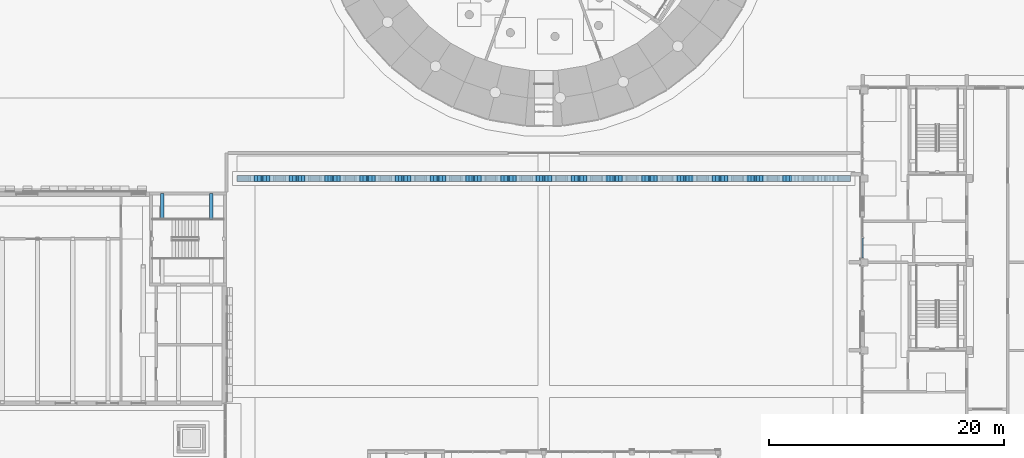
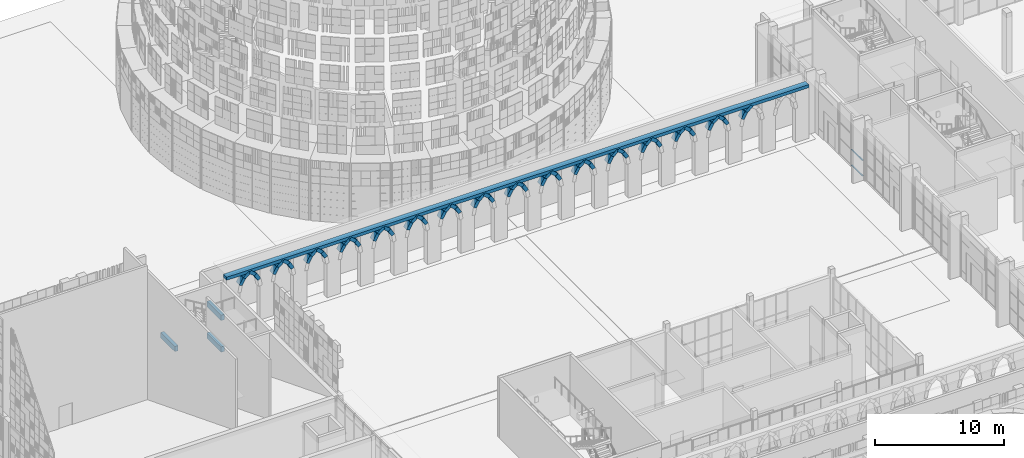
# One storey, part 34 of 125: 64 members, 4 beams, 1 element without a shape of its own.
"""IFC4 building model written with IfcOpenShell, lengths in metres."""

import ifcopenshell
import ifcopenshell.guid

model = None  # the IFC model being written
_history = None  # IfcOwnerHistory: only IFC2X3 demands one
_inside = {}  # id of a spatial element -> (the spatial element, [elements in it])
_under = {}  # id of a project, library or spatial element -> (it, [spatial elements below it])
_declared = {}  # id of a project -> (the project, [libraries it declares])
_typed = {}  # id of a type object -> (the type object, [elements of that type])
_made_of = {}  # id of a material, layer set ... -> (it, [elements and type objects made of it])


def new_model(schema):
    """Start an empty IFC model of exactly this schema.

    Asked for "IFC4X3", IfcOpenShell would pick the latest addendum, in which some entities
    have other attributes; the version numbers below select the first issue.
    IFC2X3 requires an IfcOwnerHistory on every rooted entity: one is made here for all.
    """
    global model, _history
    if schema == "IFC4X3":
        model = ifcopenshell.file(schema_version=(4, 3, 0, 0))
    else:
        model = ifcopenshell.file(schema=schema)
    _inside.clear()
    _under.clear()
    _declared.clear()
    _typed.clear()
    _made_of.clear()
    _history = None
    if model.schema == "IFC2X3":
        org = make("IfcOrganization", Name="unknown")
        user = make(
            "IfcPersonAndOrganization",
            ThePerson=make("IfcPerson", FamilyName="unknown"),
            TheOrganization=org,
        )
        app = make(
            "IfcApplication",
            ApplicationDeveloper=org,
            Version="unknown",
            ApplicationFullName="unknown",
            ApplicationIdentifier="unknown",
        )
        _history = make(
            "IfcOwnerHistory",
            OwningUser=user,
            OwningApplication=app,
            ChangeAction="ADDED",
            CreationDate=0,
        )
    return model


def make(cls, **values):
    """One entity of the class cls with the attributes given. An attribute that is None is left unset."""
    return model.create_entity(
        cls, **{name: value for name, value in values.items() if value is not None}
    )


def rooted(cls, **values):
    """An entity with a GlobalId (a new one), such as an element, a storey or a relation."""
    return make(cls, GlobalId=ifcopenshell.guid.new(), OwnerHistory=_history, **values)


def si_unit(unit_type, name, prefix=None):
    """IfcSIUnit, for example si_unit("LENGTHUNIT", "METRE", prefix="MILLI")."""
    return make("IfcSIUnit", UnitType=unit_type, Prefix=prefix, Name=name)


def assignment(units):
    """IfcUnitAssignment: the units of a project."""
    return None if units is None else make("IfcUnitAssignment", Units=units)


def point(xyz):
    """IfcCartesianPoint."""
    return None if xyz is None else make("IfcCartesianPoint", Coordinates=xyz)


def direction(xyz):
    """IfcDirection."""
    return None if xyz is None else make("IfcDirection", DirectionRatios=xyz)


def frame(location, z_axis=None, x_axis=None):
    """IfcAxis2Placement3D, a coordinate frame: its origin and axes. An axis left out is left unset."""
    return make(
        "IfcAxis2Placement3D",
        Location=point(location),
        Axis=direction(z_axis),
        RefDirection=direction(x_axis),
    )


def frame_2d(location, x_axis=None):
    """IfcAxis2Placement2D, a coordinate frame in the plane: its origin and x axis."""
    return make(
        "IfcAxis2Placement2D", Location=point(location), RefDirection=direction(x_axis)
    )


def origin():
    """The frame at (0, 0, 0) with its axes left unset."""
    return frame((0.0, 0.0, 0.0))


def origin_2d():
    """The frame at (0, 0) in the plane with its x axis left unset."""
    return frame_2d((0.0, 0.0))


def place(relative_to, where):
    """IfcLocalPlacement: puts the frame where relative to a parent placement (None: the world)."""
    return make(
        "IfcLocalPlacement", PlacementRelTo=relative_to, RelativePlacement=where
    )


def context(
    kind, dimensions, precision=None, world=None, true_north=None, identifier=None
):
    """IfcGeometricRepresentationContext, for example the 3D "Model" context."""
    return make(
        "IfcGeometricRepresentationContext",
        ContextIdentifier=identifier,
        ContextType=kind,
        CoordinateSpaceDimension=dimensions,
        Precision=precision,
        WorldCoordinateSystem=world,
        TrueNorth=true_north,
    )


def subcontext(parent, identifier, kind, view, scale=None):
    """IfcGeometricRepresentationSubContext, for example "Body" below "Model"."""
    return make(
        "IfcGeometricRepresentationSubContext",
        ContextIdentifier=identifier,
        ContextType=kind,
        ParentContext=parent,
        TargetScale=scale,
        TargetView=view,
    )


def project(units=None, contexts=None):
    """IfcProject with its units and contexts."""
    return rooted(
        "IfcProject",
        Name="project",
        RepresentationContexts=contexts,
        UnitsInContext=assignment(units),
    )


def spatial(cls, under=None, at=None, **own):
    """A site, building, storey or space (cls), placed at a placement, below another one or the project."""
    s = rooted(cls, ObjectPlacement=at, **own)
    if under is not None:
        _under.setdefault(under.id(), (under, []))[1].append(s)
    return s


def profile(cls, at=None, kind="AREA", **sizes):
    """A parametric profile (cls). Its sizes go by their IFC names, for example OverallWidth=200.0."""
    return make(cls, ProfileType=kind, Position=at, **sizes)


def rectangle(**sizes):
    """IfcRectangleProfileDef."""
    return profile("IfcRectangleProfileDef", **sizes)


def hollow_rectangle(**sizes):
    """IfcRectangleHollowProfileDef."""
    return profile("IfcRectangleHollowProfileDef", **sizes)


def extrude(swept, where, along, depth):
    """IfcExtrudedAreaSolid: the profile swept, set in the frame where, extruded along a direction by depth."""
    return make(
        "IfcExtrudedAreaSolid",
        SweptArea=swept,
        Position=where,
        ExtrudedDirection=direction(along),
        Depth=depth,
    )


def shape(context_of_items, identifier, shape_type, items):
    """IfcShapeRepresentation: the items that make up one representation, for example the "Body"."""
    return make(
        "IfcShapeRepresentation",
        ContextOfItems=context_of_items,
        RepresentationIdentifier=identifier,
        RepresentationType=shape_type,
        Items=items,
    )


def material(Name=None, Category=None):
    """IfcMaterial."""
    return make("IfcMaterial", Name=Name, Category=Category)


def material_profile(
    of_material, cross_section, Name=None, Category=None, Priority=None
):
    """IfcMaterialProfile: a cross section and its material."""
    return make(
        "IfcMaterialProfile",
        Name=Name,
        Material=of_material,
        Profile=cross_section,
        Priority=Priority,
        Category=Category,
    )


def profile_set(profiles, Name=None, composite=None):
    """IfcMaterialProfileSet."""
    return make(
        "IfcMaterialProfileSet",
        Name=Name,
        MaterialProfiles=profiles,
        CompositeProfile=composite,
    )


def made_of(thing, what):
    """Note that an element or type object is made of a material, layer set ...; save() writes the relation."""
    if what is not None:
        _made_of.setdefault(what.id(), (what, []))[1].append(thing)
    return thing


def type_object(cls, material=None, **own):
    """A type object (cls), such as IfcWallType, which elements share."""
    return made_of(rooted(cls, **own), material)


def element(
    cls,
    number,
    at=None,
    inside=None,
    cuts=None,
    type_object=None,
    material=None,
    context=None,
    identifier="Body",
    shape_type=None,
    held_by="IfcProductDefinitionShape",
    body=None,
    shapes=None,
    **own,
):
    """One element of the class cls, such as IfcWall. Its Tag is "e" and its number.

    at: its placement. inside: the storey or other place that contains it. cuts: it is an
    opening in that element (IfcRelVoidsElement). A single representation is given by context,
    identifier, shape_type and body (its items); several are given by shapes. held_by: the class
    of the entity that holds the representations. save() writes the other relations.
    """
    e = rooted(cls, Tag="e%d" % number, ObjectPlacement=at, **own)
    if body is not None:
        shapes = [shape(context, identifier, shape_type, body)]
    if shapes is not None:
        e.Representation = make(held_by, Representations=shapes)
    if inside is not None:
        _inside.setdefault(inside.id(), (inside, []))[1].append(e)
    if cuts is not None:
        rooted(
            "IfcRelVoidsElement", RelatingBuildingElement=cuts, RelatedOpeningElement=e
        )
    if type_object is not None:
        _typed.setdefault(type_object.id(), (type_object, []))[1].append(e)
    return made_of(e, material)


def aggregate(whole, parts):
    """IfcRelAggregates: a whole, such as a stair, and the parts it consists of."""
    return rooted("IfcRelAggregates", RelatingObject=whole, RelatedObjects=parts)


def save(model, path):
    """Write the relations noted so far, then the file.

    IfcRelAggregates (storeys below a building ...), IfcRelContainedInSpatialStructure (elements
    in a storey), IfcRelDefinesByType, IfcRelAssociatesMaterial and IfcRelDeclares: one each for
    every whole, place, type object, material and project.
    """
    for whole, parts in _under.values():
        aggregate(whole, parts)
    for where, things in _inside.values():
        rooted(
            "IfcRelContainedInSpatialStructure",
            RelatedElements=things,
            RelatingStructure=where,
        )
    for kind, things in _typed.values():
        rooted("IfcRelDefinesByType", RelatedObjects=things, RelatingType=kind)
    for what, things in _made_of.values():
        rooted("IfcRelAssociatesMaterial", RelatedObjects=things, RelatingMaterial=what)
    for by, libraries in _declared.values():
        rooted("IfcRelDeclares", RelatingContext=by, RelatedDefinitions=libraries)
    model.write(path)


model = new_model("IFC4")

# Units and contexts
model_context = context("Model", 3, precision=1e-05, world=origin(), true_north=direction((0.0, 1.0)))
body_context = subcontext(model_context, "Body", "Model", "MODEL_VIEW")
ifc_project = project(units=[si_unit("LENGTHUNIT", "METRE"), si_unit("AREAUNIT", "SQUARE_METRE"), si_unit("VOLUMEUNIT", "CUBIC_METRE"), si_unit("PLANEANGLEUNIT", "RADIAN"), si_unit("MASSUNIT", "GRAM", prefix="KILO")], contexts=[model_context])

# Site, building, storey
site_placement = place(None, origin())
site = spatial("IfcSite", under=ifc_project, at=site_placement, CompositionType="ELEMENT")
building_placement = place(site_placement, origin())
building = spatial("IfcBuilding", under=site, at=building_placement, Name="Sun Court Science Centre", CompositionType="ELEMENT")
storey_placement = place(building_placement, origin())
storey = spatial("IfcBuildingStorey", under=building, at=storey_placement, Name="L00", CompositionType="ELEMENT", Elevation=0.0)

# Members
ifc_material_1 = material(Name="Concrete C30/37", Category="concrete")
ifc_material_profile_1 = material_profile(ifc_material_1, rectangle(XDim=0.5, YDim=0.300048828125, at=origin_2d()), Name="RC 500x300")
ifc_profile_set_1 = profile_set([ifc_material_profile_1], Name="Concrete C30/37")
member_type_1 = type_object("IfcMemberType", Name="Arcade arch rib RC 500x300", PredefinedType="MEMBER", material=ifc_profile_set_1)
member_1_placement = place(storey_placement, frame((26.16455078125, 73.14990234375, 3.8798828125), z_axis=(0.500117354631, 0.0, 0.865957638454), x_axis=(0.0, 1.0, 0.0)))
element("IfcMember", 1, at=member_1_placement, inside=storey, type_object=member_type_1, Name="Arcade arch rib AR2 bay 01", PredefinedType="MEMBER", context=body_context, shape_type="SweptSolid", body=[
    extrude(rectangle(XDim=0.5, YDim=0.300048828125, at=origin_2d()), origin(), (0.0, 0.0, 1.0), 0.659912109375),
])
member_2_placement = place(storey_placement, frame((26.49462890625, 73.14990234375, 4.451416015625), z_axis=(0.76603282395, 0.0, 0.642801456619), x_axis=(0.0, 1.0, 0.0)))
element("IfcMember", 2, at=member_2_placement, inside=storey, type_object=member_type_1, Name="Arcade arch rib AR2 bay 01", PredefinedType="MEMBER", context=body_context, shape_type="SweptSolid", body=[
    extrude(rectangle(XDim=0.5, YDim=0.300048828125, at=origin_2d()), origin(), (0.0, 0.0, 1.0), 0.65966796875),
])
member_3_placement = place(storey_placement, frame((27.83544921875, 73.14990234375, 3.8798828125), z_axis=(-0.500117354631, 0.0, 0.865957638454), x_axis=(0.0, -1.0, 0.0)))
element("IfcMember", 3, at=member_3_placement, inside=storey, type_object=member_type_1, Name="Arcade arch rib AR2 bay 01", PredefinedType="MEMBER", context=body_context, shape_type="SweptSolid", body=[
    extrude(rectangle(XDim=0.5, YDim=0.300048828125, at=origin_2d()), origin(), (0.0, 0.0, 1.0), 0.659912109375),
])
member_4_placement = place(storey_placement, frame((27.50537109375, 73.14990234375, 4.451416015625), z_axis=(-0.76603282395, 0.0, 0.642801456619), x_axis=(0.0, -1.0, 0.0)))
element("IfcMember", 4, at=member_4_placement, inside=storey, type_object=member_type_1, Name="Arcade arch rib AR2 bay 01", PredefinedType="MEMBER", context=body_context, shape_type="SweptSolid", body=[
    extrude(rectangle(XDim=0.5, YDim=0.300048828125, at=origin_2d()), origin(), (0.0, 0.0, 1.0), 0.65966796875),
])
member_5_placement = place(storey_placement, frame((29.16455078125, 73.14990234375, 3.8798828125), z_axis=(0.500117354631, 0.0, 0.865957638454), x_axis=(0.0, 1.0, 0.0)))
element("IfcMember", 5, at=member_5_placement, inside=storey, type_object=member_type_1, Name="Arcade arch rib AR2 bay 02", PredefinedType="MEMBER", context=body_context, shape_type="SweptSolid", body=[
    extrude(rectangle(XDim=0.5, YDim=0.300048828125, at=origin_2d()), origin(), (0.0, 0.0, 1.0), 0.659912109375),
])
member_6_placement = place(storey_placement, frame((29.49462890625, 73.14990234375, 4.451416015625), z_axis=(0.76603282395, 0.0, 0.642801456619), x_axis=(0.0, 1.0, 0.0)))
element("IfcMember", 6, at=member_6_placement, inside=storey, type_object=member_type_1, Name="Arcade arch rib AR2 bay 02", PredefinedType="MEMBER", context=body_context, shape_type="SweptSolid", body=[
    extrude(rectangle(XDim=0.5, YDim=0.300048828125, at=origin_2d()), origin(), (0.0, 0.0, 1.0), 0.65966796875),
])
member_7_placement = place(storey_placement, frame((30.83544921875, 73.14990234375, 3.8798828125), z_axis=(-0.500117354631, 0.0, 0.865957638454), x_axis=(0.0, -1.0, 0.0)))
element("IfcMember", 7, at=member_7_placement, inside=storey, type_object=member_type_1, Name="Arcade arch rib AR2 bay 02", PredefinedType="MEMBER", context=body_context, shape_type="SweptSolid", body=[
    extrude(rectangle(XDim=0.5, YDim=0.300048828125, at=origin_2d()), origin(), (0.0, 0.0, 1.0), 0.659912109375),
])
member_8_placement = place(storey_placement, frame((30.50537109375, 73.14990234375, 4.451416015625), z_axis=(-0.76603282395, 0.0, 0.642801456619), x_axis=(0.0, -1.0, 0.0)))
element("IfcMember", 8, at=member_8_placement, inside=storey, type_object=member_type_1, Name="Arcade arch rib AR2 bay 02", PredefinedType="MEMBER", context=body_context, shape_type="SweptSolid", body=[
    extrude(rectangle(XDim=0.5, YDim=0.300048828125, at=origin_2d()), origin(), (0.0, 0.0, 1.0), 0.65966796875),
])
member_9_placement = place(storey_placement, frame((32.16455078125, 73.14990234375, 3.8798828125), z_axis=(0.500117354631, 0.0, 0.865957638454), x_axis=(0.0, 1.0, 0.0)))
element("IfcMember", 9, at=member_9_placement, inside=storey, type_object=member_type_1, Name="Arcade arch rib AR2 bay 03", PredefinedType="MEMBER", context=body_context, shape_type="SweptSolid", body=[
    extrude(rectangle(XDim=0.5, YDim=0.300048828125, at=origin_2d()), origin(), (0.0, 0.0, 1.0), 0.659912109375),
])
member_10_placement = place(storey_placement, frame((32.49462890625, 73.14990234375, 4.451416015625), z_axis=(0.76603282395, 0.0, 0.642801456619), x_axis=(0.0, 1.0, 0.0)))
element("IfcMember", 10, at=member_10_placement, inside=storey, type_object=member_type_1, Name="Arcade arch rib AR2 bay 03", PredefinedType="MEMBER", context=body_context, shape_type="SweptSolid", body=[
    extrude(rectangle(XDim=0.5, YDim=0.300048828125, at=origin_2d()), origin(), (0.0, 0.0, 1.0), 0.65966796875),
])
member_11_placement = place(storey_placement, frame((33.83544921875, 73.14990234375, 3.8798828125), z_axis=(-0.500117354631, 0.0, 0.865957638454), x_axis=(0.0, -1.0, 0.0)))
element("IfcMember", 11, at=member_11_placement, inside=storey, type_object=member_type_1, Name="Arcade arch rib AR2 bay 03", PredefinedType="MEMBER", context=body_context, shape_type="SweptSolid", body=[
    extrude(rectangle(XDim=0.5, YDim=0.300048828125, at=origin_2d()), origin(), (0.0, 0.0, 1.0), 0.659912109375),
])
member_12_placement = place(storey_placement, frame((33.50537109375, 73.14990234375, 4.451416015625), z_axis=(-0.76603282395, 0.0, 0.642801456619), x_axis=(0.0, -1.0, 0.0)))
element("IfcMember", 12, at=member_12_placement, inside=storey, type_object=member_type_1, Name="Arcade arch rib AR2 bay 03", PredefinedType="MEMBER", context=body_context, shape_type="SweptSolid", body=[
    extrude(rectangle(XDim=0.5, YDim=0.300048828125, at=origin_2d()), origin(), (0.0, 0.0, 1.0), 0.65966796875),
])
member_13_placement = place(storey_placement, frame((35.16455078125, 73.14990234375, 3.8798828125), z_axis=(0.500117354631, 0.0, 0.865957638454), x_axis=(0.0, 1.0, 0.0)))
element("IfcMember", 13, at=member_13_placement, inside=storey, type_object=member_type_1, Name="Arcade arch rib AR2 bay 04", PredefinedType="MEMBER", context=body_context, shape_type="SweptSolid", body=[
    extrude(rectangle(XDim=0.5, YDim=0.300048828125, at=origin_2d()), origin(), (0.0, 0.0, 1.0), 0.659912109375),
])
member_14_placement = place(storey_placement, frame((35.49462890625, 73.14990234375, 4.451416015625), z_axis=(0.76603282395, 0.0, 0.642801456619), x_axis=(0.0, 1.0, 0.0)))
element("IfcMember", 14, at=member_14_placement, inside=storey, type_object=member_type_1, Name="Arcade arch rib AR2 bay 04", PredefinedType="MEMBER", context=body_context, shape_type="SweptSolid", body=[
    extrude(rectangle(XDim=0.5, YDim=0.300048828125, at=origin_2d()), origin(), (0.0, 0.0, 1.0), 0.65966796875),
])
member_15_placement = place(storey_placement, frame((36.83544921875, 73.14990234375, 3.8798828125), z_axis=(-0.500117354631, 0.0, 0.865957638454), x_axis=(0.0, -1.0, 0.0)))
element("IfcMember", 15, at=member_15_placement, inside=storey, type_object=member_type_1, Name="Arcade arch rib AR2 bay 04", PredefinedType="MEMBER", context=body_context, shape_type="SweptSolid", body=[
    extrude(rectangle(XDim=0.5, YDim=0.300048828125, at=origin_2d()), origin(), (0.0, 0.0, 1.0), 0.659912109375),
])
member_16_placement = place(storey_placement, frame((36.50537109375, 73.14990234375, 4.451416015625), z_axis=(-0.76603282395, 0.0, 0.642801456619), x_axis=(0.0, -1.0, 0.0)))
element("IfcMember", 16, at=member_16_placement, inside=storey, type_object=member_type_1, Name="Arcade arch rib AR2 bay 04", PredefinedType="MEMBER", context=body_context, shape_type="SweptSolid", body=[
    extrude(rectangle(XDim=0.5, YDim=0.300048828125, at=origin_2d()), origin(), (0.0, 0.0, 1.0), 0.65966796875),
])
member_17_placement = place(storey_placement, frame((38.16455078125, 73.14990234375, 3.8798828125), z_axis=(0.500117354631, 0.0, 0.865957638454), x_axis=(0.0, 1.0, 0.0)))
element("IfcMember", 17, at=member_17_placement, inside=storey, type_object=member_type_1, Name="Arcade arch rib AR2 bay 05", PredefinedType="MEMBER", context=body_context, shape_type="SweptSolid", body=[
    extrude(rectangle(XDim=0.5, YDim=0.300048828125, at=origin_2d()), origin(), (0.0, 0.0, 1.0), 0.659912109375),
])
member_18_placement = place(storey_placement, frame((38.49462890625, 73.14990234375, 4.451416015625), z_axis=(0.76603282395, 0.0, 0.642801456619), x_axis=(0.0, 1.0, 0.0)))
element("IfcMember", 18, at=member_18_placement, inside=storey, type_object=member_type_1, Name="Arcade arch rib AR2 bay 05", PredefinedType="MEMBER", context=body_context, shape_type="SweptSolid", body=[
    extrude(rectangle(XDim=0.5, YDim=0.300048828125, at=origin_2d()), origin(), (0.0, 0.0, 1.0), 0.65966796875),
])
member_19_placement = place(storey_placement, frame((39.83544921875, 73.14990234375, 3.8798828125), z_axis=(-0.500117354631, 0.0, 0.865957638454), x_axis=(0.0, -1.0, 0.0)))
element("IfcMember", 19, at=member_19_placement, inside=storey, type_object=member_type_1, Name="Arcade arch rib AR2 bay 05", PredefinedType="MEMBER", context=body_context, shape_type="SweptSolid", body=[
    extrude(rectangle(XDim=0.5, YDim=0.300048828125, at=origin_2d()), origin(), (0.0, 0.0, 1.0), 0.659912109375),
])
member_20_placement = place(storey_placement, frame((39.50537109375, 73.14990234375, 4.451416015625), z_axis=(-0.76603282395, 0.0, 0.642801456619), x_axis=(0.0, -1.0, 0.0)))
element("IfcMember", 20, at=member_20_placement, inside=storey, type_object=member_type_1, Name="Arcade arch rib AR2 bay 05", PredefinedType="MEMBER", context=body_context, shape_type="SweptSolid", body=[
    extrude(rectangle(XDim=0.5, YDim=0.300048828125, at=origin_2d()), origin(), (0.0, 0.0, 1.0), 0.65966796875),
])
member_21_placement = place(storey_placement, frame((41.16455078125, 73.14990234375, 3.8798828125), z_axis=(0.500117354631, 0.0, 0.865957638454), x_axis=(0.0, 1.0, 0.0)))
element("IfcMember", 21, at=member_21_placement, inside=storey, type_object=member_type_1, Name="Arcade arch rib AR2 bay 06", PredefinedType="MEMBER", context=body_context, shape_type="SweptSolid", body=[
    extrude(rectangle(XDim=0.5, YDim=0.300048828125, at=origin_2d()), origin(), (0.0, 0.0, 1.0), 0.659912109375),
])
member_22_placement = place(storey_placement, frame((41.49462890625, 73.14990234375, 4.451416015625), z_axis=(0.76603282395, 0.0, 0.642801456619), x_axis=(0.0, 1.0, 0.0)))
element("IfcMember", 22, at=member_22_placement, inside=storey, type_object=member_type_1, Name="Arcade arch rib AR2 bay 06", PredefinedType="MEMBER", context=body_context, shape_type="SweptSolid", body=[
    extrude(rectangle(XDim=0.5, YDim=0.300048828125, at=origin_2d()), origin(), (0.0, 0.0, 1.0), 0.65966796875),
])
member_23_placement = place(storey_placement, frame((42.83544921875, 73.14990234375, 3.8798828125), z_axis=(-0.500117354631, 0.0, 0.865957638454), x_axis=(0.0, -1.0, 0.0)))
element("IfcMember", 23, at=member_23_placement, inside=storey, type_object=member_type_1, Name="Arcade arch rib AR2 bay 06", PredefinedType="MEMBER", context=body_context, shape_type="SweptSolid", body=[
    extrude(rectangle(XDim=0.5, YDim=0.300048828125, at=origin_2d()), origin(), (0.0, 0.0, 1.0), 0.659912109375),
])
member_24_placement = place(storey_placement, frame((42.50537109375, 73.14990234375, 4.451416015625), z_axis=(-0.76603282395, 0.0, 0.642801456619), x_axis=(0.0, -1.0, 0.0)))
element("IfcMember", 24, at=member_24_placement, inside=storey, type_object=member_type_1, Name="Arcade arch rib AR2 bay 06", PredefinedType="MEMBER", context=body_context, shape_type="SweptSolid", body=[
    extrude(rectangle(XDim=0.5, YDim=0.300048828125, at=origin_2d()), origin(), (0.0, 0.0, 1.0), 0.65966796875),
])
member_25_placement = place(storey_placement, frame((44.16455078125, 73.14990234375, 3.8798828125), z_axis=(0.500117354631, 0.0, 0.865957638454), x_axis=(0.0, 1.0, 0.0)))
element("IfcMember", 25, at=member_25_placement, inside=storey, type_object=member_type_1, Name="Arcade arch rib AR2 bay 07", PredefinedType="MEMBER", context=body_context, shape_type="SweptSolid", body=[
    extrude(rectangle(XDim=0.5, YDim=0.300048828125, at=origin_2d()), origin(), (0.0, 0.0, 1.0), 0.659912109375),
])
member_26_placement = place(storey_placement, frame((44.49462890625, 73.14990234375, 4.451416015625), z_axis=(0.76603282395, 0.0, 0.642801456619), x_axis=(0.0, 1.0, 0.0)))
element("IfcMember", 26, at=member_26_placement, inside=storey, type_object=member_type_1, Name="Arcade arch rib AR2 bay 07", PredefinedType="MEMBER", context=body_context, shape_type="SweptSolid", body=[
    extrude(rectangle(XDim=0.5, YDim=0.300048828125, at=origin_2d()), origin(), (0.0, 0.0, 1.0), 0.65966796875),
])
member_27_placement = place(storey_placement, frame((45.83544921875, 73.14990234375, 3.8798828125), z_axis=(-0.500117354631, 0.0, 0.865957638454), x_axis=(0.0, -1.0, 0.0)))
element("IfcMember", 27, at=member_27_placement, inside=storey, type_object=member_type_1, Name="Arcade arch rib AR2 bay 07", PredefinedType="MEMBER", context=body_context, shape_type="SweptSolid", body=[
    extrude(rectangle(XDim=0.5, YDim=0.300048828125, at=origin_2d()), origin(), (0.0, 0.0, 1.0), 0.659912109375),
])
member_28_placement = place(storey_placement, frame((45.50537109375, 73.14990234375, 4.451416015625), z_axis=(-0.76603282395, 0.0, 0.642801456619), x_axis=(0.0, -1.0, 0.0)))
element("IfcMember", 28, at=member_28_placement, inside=storey, type_object=member_type_1, Name="Arcade arch rib AR2 bay 07", PredefinedType="MEMBER", context=body_context, shape_type="SweptSolid", body=[
    extrude(rectangle(XDim=0.5, YDim=0.300048828125, at=origin_2d()), origin(), (0.0, 0.0, 1.0), 0.65966796875),
])
member_29_placement = place(storey_placement, frame((47.16455078125, 73.14990234375, 3.8798828125), z_axis=(0.500117354631, 0.0, 0.865957638454), x_axis=(0.0, 1.0, 0.0)))
element("IfcMember", 29, at=member_29_placement, inside=storey, type_object=member_type_1, Name="Arcade arch rib AR2 bay 08", PredefinedType="MEMBER", context=body_context, shape_type="SweptSolid", body=[
    extrude(rectangle(XDim=0.5, YDim=0.300048828125, at=origin_2d()), origin(), (0.0, 0.0, 1.0), 0.659912109375),
])
member_30_placement = place(storey_placement, frame((47.49462890625, 73.14990234375, 4.451416015625), z_axis=(0.76603282395, 0.0, 0.642801456619), x_axis=(0.0, 1.0, 0.0)))
element("IfcMember", 30, at=member_30_placement, inside=storey, type_object=member_type_1, Name="Arcade arch rib AR2 bay 08", PredefinedType="MEMBER", context=body_context, shape_type="SweptSolid", body=[
    extrude(rectangle(XDim=0.5, YDim=0.300048828125, at=origin_2d()), origin(), (0.0, 0.0, 1.0), 0.65966796875),
])
member_31_placement = place(storey_placement, frame((48.83544921875, 73.14990234375, 3.8798828125), z_axis=(-0.500117354631, 0.0, 0.865957638454), x_axis=(0.0, -1.0, 0.0)))
element("IfcMember", 31, at=member_31_placement, inside=storey, type_object=member_type_1, Name="Arcade arch rib AR2 bay 08", PredefinedType="MEMBER", context=body_context, shape_type="SweptSolid", body=[
    extrude(rectangle(XDim=0.5, YDim=0.300048828125, at=origin_2d()), origin(), (0.0, 0.0, 1.0), 0.659912109375),
])
member_32_placement = place(storey_placement, frame((48.50537109375, 73.14990234375, 4.451416015625), z_axis=(-0.76603282395, 0.0, 0.642801456619), x_axis=(0.0, -1.0, 0.0)))
element("IfcMember", 32, at=member_32_placement, inside=storey, type_object=member_type_1, Name="Arcade arch rib AR2 bay 08", PredefinedType="MEMBER", context=body_context, shape_type="SweptSolid", body=[
    extrude(rectangle(XDim=0.5, YDim=0.300048828125, at=origin_2d()), origin(), (0.0, 0.0, 1.0), 0.65966796875),
])
member_33_placement = place(storey_placement, frame((50.16455078125, 73.14990234375, 3.8798828125), z_axis=(0.500117354631, 0.0, 0.865957638454), x_axis=(0.0, 1.0, 0.0)))
element("IfcMember", 33, at=member_33_placement, inside=storey, type_object=member_type_1, Name="Arcade arch rib AR2 bay 09", PredefinedType="MEMBER", context=body_context, shape_type="SweptSolid", body=[
    extrude(rectangle(XDim=0.5, YDim=0.300048828125, at=origin_2d()), origin(), (0.0, 0.0, 1.0), 0.659912109375),
])
member_34_placement = place(storey_placement, frame((50.49462890625, 73.14990234375, 4.451416015625), z_axis=(0.76603282395, 0.0, 0.642801456619), x_axis=(0.0, 1.0, 0.0)))
element("IfcMember", 34, at=member_34_placement, inside=storey, type_object=member_type_1, Name="Arcade arch rib AR2 bay 09", PredefinedType="MEMBER", context=body_context, shape_type="SweptSolid", body=[
    extrude(rectangle(XDim=0.5, YDim=0.300048828125, at=origin_2d()), origin(), (0.0, 0.0, 1.0), 0.65966796875),
])
member_35_placement = place(storey_placement, frame((51.83544921875, 73.14990234375, 3.8798828125), z_axis=(-0.500117354631, 0.0, 0.865957638454), x_axis=(0.0, -1.0, 0.0)))
element("IfcMember", 35, at=member_35_placement, inside=storey, type_object=member_type_1, Name="Arcade arch rib AR2 bay 09", PredefinedType="MEMBER", context=body_context, shape_type="SweptSolid", body=[
    extrude(rectangle(XDim=0.5, YDim=0.300048828125, at=origin_2d()), origin(), (0.0, 0.0, 1.0), 0.659912109375),
])
member_36_placement = place(storey_placement, frame((51.50537109375, 73.14990234375, 4.451416015625), z_axis=(-0.76603282395, 0.0, 0.642801456619), x_axis=(0.0, -1.0, 0.0)))
element("IfcMember", 36, at=member_36_placement, inside=storey, type_object=member_type_1, Name="Arcade arch rib AR2 bay 09", PredefinedType="MEMBER", context=body_context, shape_type="SweptSolid", body=[
    extrude(rectangle(XDim=0.5, YDim=0.300048828125, at=origin_2d()), origin(), (0.0, 0.0, 1.0), 0.65966796875),
])
member_37_placement = place(storey_placement, frame((53.16455078125, 73.14990234375, 3.8798828125), z_axis=(0.500117354631, 0.0, 0.865957638454), x_axis=(0.0, 1.0, 0.0)))
element("IfcMember", 37, at=member_37_placement, inside=storey, type_object=member_type_1, Name="Arcade arch rib AR2 bay 10", PredefinedType="MEMBER", context=body_context, shape_type="SweptSolid", body=[
    extrude(rectangle(XDim=0.5, YDim=0.300048828125, at=origin_2d()), origin(), (0.0, 0.0, 1.0), 0.659912109375),
])
member_38_placement = place(storey_placement, frame((53.49462890625, 73.14990234375, 4.451416015625), z_axis=(0.76603282395, 0.0, 0.642801456619), x_axis=(0.0, 1.0, 0.0)))
element("IfcMember", 38, at=member_38_placement, inside=storey, type_object=member_type_1, Name="Arcade arch rib AR2 bay 10", PredefinedType="MEMBER", context=body_context, shape_type="SweptSolid", body=[
    extrude(rectangle(XDim=0.5, YDim=0.300048828125, at=origin_2d()), origin(), (0.0, 0.0, 1.0), 0.65966796875),
])
member_39_placement = place(storey_placement, frame((54.83544921875, 73.14990234375, 3.8798828125), z_axis=(-0.500117354631, 0.0, 0.865957638454), x_axis=(0.0, -1.0, 0.0)))
element("IfcMember", 39, at=member_39_placement, inside=storey, type_object=member_type_1, Name="Arcade arch rib AR2 bay 10", PredefinedType="MEMBER", context=body_context, shape_type="SweptSolid", body=[
    extrude(rectangle(XDim=0.5, YDim=0.300048828125, at=origin_2d()), origin(), (0.0, 0.0, 1.0), 0.659912109375),
])
member_40_placement = place(storey_placement, frame((54.50537109375, 73.14990234375, 4.451416015625), z_axis=(-0.76603282395, 0.0, 0.642801456619), x_axis=(0.0, -1.0, 0.0)))
element("IfcMember", 40, at=member_40_placement, inside=storey, type_object=member_type_1, Name="Arcade arch rib AR2 bay 10", PredefinedType="MEMBER", context=body_context, shape_type="SweptSolid", body=[
    extrude(rectangle(XDim=0.5, YDim=0.300048828125, at=origin_2d()), origin(), (0.0, 0.0, 1.0), 0.65966796875),
])
member_41_placement = place(storey_placement, frame((56.16455078125, 73.14990234375, 3.8798828125), z_axis=(0.500117354631, 0.0, 0.865957638454), x_axis=(0.0, 1.0, 0.0)))
element("IfcMember", 41, at=member_41_placement, inside=storey, type_object=member_type_1, Name="Arcade arch rib AR2 bay 11", PredefinedType="MEMBER", context=body_context, shape_type="SweptSolid", body=[
    extrude(rectangle(XDim=0.5, YDim=0.300048828125, at=origin_2d()), origin(), (0.0, 0.0, 1.0), 0.659912109375),
])
member_42_placement = place(storey_placement, frame((56.49462890625, 73.14990234375, 4.451416015625), z_axis=(0.76603282395, 0.0, 0.642801456619), x_axis=(0.0, 1.0, 0.0)))
element("IfcMember", 42, at=member_42_placement, inside=storey, type_object=member_type_1, Name="Arcade arch rib AR2 bay 11", PredefinedType="MEMBER", context=body_context, shape_type="SweptSolid", body=[
    extrude(rectangle(XDim=0.5, YDim=0.300048828125, at=origin_2d()), origin(), (0.0, 0.0, 1.0), 0.65966796875),
])
member_43_placement = place(storey_placement, frame((57.83544921875, 73.14990234375, 3.8798828125), z_axis=(-0.500117354631, 0.0, 0.865957638454), x_axis=(0.0, -1.0, 0.0)))
element("IfcMember", 43, at=member_43_placement, inside=storey, type_object=member_type_1, Name="Arcade arch rib AR2 bay 11", PredefinedType="MEMBER", context=body_context, shape_type="SweptSolid", body=[
    extrude(rectangle(XDim=0.5, YDim=0.300048828125, at=origin_2d()), origin(), (0.0, 0.0, 1.0), 0.659912109375),
])
member_44_placement = place(storey_placement, frame((57.50537109375, 73.14990234375, 4.451416015625), z_axis=(-0.76603282395, 0.0, 0.642801456619), x_axis=(0.0, -1.0, 0.0)))
element("IfcMember", 44, at=member_44_placement, inside=storey, type_object=member_type_1, Name="Arcade arch rib AR2 bay 11", PredefinedType="MEMBER", context=body_context, shape_type="SweptSolid", body=[
    extrude(rectangle(XDim=0.5, YDim=0.300048828125, at=origin_2d()), origin(), (0.0, 0.0, 1.0), 0.65966796875),
])
member_45_placement = place(storey_placement, frame((59.16455078125, 73.14990234375, 3.8798828125), z_axis=(0.500117354631, 0.0, 0.865957638454), x_axis=(0.0, 1.0, 0.0)))
element("IfcMember", 45, at=member_45_placement, inside=storey, type_object=member_type_1, Name="Arcade arch rib AR2 bay 12", PredefinedType="MEMBER", context=body_context, shape_type="SweptSolid", body=[
    extrude(rectangle(XDim=0.5, YDim=0.300048828125, at=origin_2d()), origin(), (0.0, 0.0, 1.0), 0.659912109375),
])
member_46_placement = place(storey_placement, frame((59.49462890625, 73.14990234375, 4.451416015625), z_axis=(0.76603282395, 0.0, 0.642801456619), x_axis=(0.0, 1.0, 0.0)))
element("IfcMember", 46, at=member_46_placement, inside=storey, type_object=member_type_1, Name="Arcade arch rib AR2 bay 12", PredefinedType="MEMBER", context=body_context, shape_type="SweptSolid", body=[
    extrude(rectangle(XDim=0.5, YDim=0.300048828125, at=origin_2d()), origin(), (0.0, 0.0, 1.0), 0.65966796875),
])
member_47_placement = place(storey_placement, frame((60.83544921875, 73.14990234375, 3.8798828125), z_axis=(-0.500117354631, 0.0, 0.865957638454), x_axis=(0.0, -1.0, 0.0)))
element("IfcMember", 47, at=member_47_placement, inside=storey, type_object=member_type_1, Name="Arcade arch rib AR2 bay 12", PredefinedType="MEMBER", context=body_context, shape_type="SweptSolid", body=[
    extrude(rectangle(XDim=0.5, YDim=0.300048828125, at=origin_2d()), origin(), (0.0, 0.0, 1.0), 0.659912109375),
])
member_48_placement = place(storey_placement, frame((60.50537109375, 73.14990234375, 4.451416015625), z_axis=(-0.76603282395, 0.0, 0.642801456619), x_axis=(0.0, -1.0, 0.0)))
element("IfcMember", 48, at=member_48_placement, inside=storey, type_object=member_type_1, Name="Arcade arch rib AR2 bay 12", PredefinedType="MEMBER", context=body_context, shape_type="SweptSolid", body=[
    extrude(rectangle(XDim=0.5, YDim=0.300048828125, at=origin_2d()), origin(), (0.0, 0.0, 1.0), 0.65966796875),
])
member_49_placement = place(storey_placement, frame((62.16455078125, 73.14990234375, 3.8798828125), z_axis=(0.500117354631, 0.0, 0.865957638454), x_axis=(0.0, 1.0, 0.0)))
element("IfcMember", 49, at=member_49_placement, inside=storey, type_object=member_type_1, Name="Arcade arch rib AR2 bay 13", PredefinedType="MEMBER", context=body_context, shape_type="SweptSolid", body=[
    extrude(rectangle(XDim=0.5, YDim=0.300048828125, at=origin_2d()), origin(), (0.0, 0.0, 1.0), 0.659912109375),
])
member_50_placement = place(storey_placement, frame((62.49462890625, 73.14990234375, 4.451416015625), z_axis=(0.76603282395, 0.0, 0.642801456619), x_axis=(0.0, 1.0, 0.0)))
element("IfcMember", 50, at=member_50_placement, inside=storey, type_object=member_type_1, Name="Arcade arch rib AR2 bay 13", PredefinedType="MEMBER", context=body_context, shape_type="SweptSolid", body=[
    extrude(rectangle(XDim=0.5, YDim=0.300048828125, at=origin_2d()), origin(), (0.0, 0.0, 1.0), 0.65966796875),
])
member_51_placement = place(storey_placement, frame((63.83544921875, 73.14990234375, 3.8798828125), z_axis=(-0.500117354631, 0.0, 0.865957638454), x_axis=(0.0, -1.0, 0.0)))
element("IfcMember", 51, at=member_51_placement, inside=storey, type_object=member_type_1, Name="Arcade arch rib AR2 bay 13", PredefinedType="MEMBER", context=body_context, shape_type="SweptSolid", body=[
    extrude(rectangle(XDim=0.5, YDim=0.300048828125, at=origin_2d()), origin(), (0.0, 0.0, 1.0), 0.659912109375),
])
member_52_placement = place(storey_placement, frame((63.50537109375, 73.14990234375, 4.451416015625), z_axis=(-0.76603282395, 0.0, 0.642801456619), x_axis=(0.0, -1.0, 0.0)))
element("IfcMember", 52, at=member_52_placement, inside=storey, type_object=member_type_1, Name="Arcade arch rib AR2 bay 13", PredefinedType="MEMBER", context=body_context, shape_type="SweptSolid", body=[
    extrude(rectangle(XDim=0.5, YDim=0.300048828125, at=origin_2d()), origin(), (0.0, 0.0, 1.0), 0.65966796875),
])
member_53_placement = place(storey_placement, frame((65.16455078125, 73.14990234375, 3.8798828125), z_axis=(0.500117354631, 0.0, 0.865957638454), x_axis=(0.0, 1.0, 0.0)))
element("IfcMember", 53, at=member_53_placement, inside=storey, type_object=member_type_1, Name="Arcade arch rib AR2 bay 14", PredefinedType="MEMBER", context=body_context, shape_type="SweptSolid", body=[
    extrude(rectangle(XDim=0.5, YDim=0.300048828125, at=origin_2d()), origin(), (0.0, 0.0, 1.0), 0.659912109375),
])
member_54_placement = place(storey_placement, frame((65.49462890625, 73.14990234375, 4.451416015625), z_axis=(0.76603282395, 0.0, 0.642801456619), x_axis=(0.0, 1.0, 0.0)))
element("IfcMember", 54, at=member_54_placement, inside=storey, type_object=member_type_1, Name="Arcade arch rib AR2 bay 14", PredefinedType="MEMBER", context=body_context, shape_type="SweptSolid", body=[
    extrude(rectangle(XDim=0.5, YDim=0.300048828125, at=origin_2d()), origin(), (0.0, 0.0, 1.0), 0.65966796875),
])
member_55_placement = place(storey_placement, frame((66.83544921875, 73.14990234375, 3.8798828125), z_axis=(-0.500117354631, 0.0, 0.865957638454), x_axis=(0.0, -1.0, 0.0)))
element("IfcMember", 55, at=member_55_placement, inside=storey, type_object=member_type_1, Name="Arcade arch rib AR2 bay 14", PredefinedType="MEMBER", context=body_context, shape_type="SweptSolid", body=[
    extrude(rectangle(XDim=0.5, YDim=0.300048828125, at=origin_2d()), origin(), (0.0, 0.0, 1.0), 0.659912109375),
])
member_56_placement = place(storey_placement, frame((66.50537109375, 73.14990234375, 4.451416015625), z_axis=(-0.76603282395, 0.0, 0.642801456619), x_axis=(0.0, -1.0, 0.0)))
element("IfcMember", 56, at=member_56_placement, inside=storey, type_object=member_type_1, Name="Arcade arch rib AR2 bay 14", PredefinedType="MEMBER", context=body_context, shape_type="SweptSolid", body=[
    extrude(rectangle(XDim=0.5, YDim=0.300048828125, at=origin_2d()), origin(), (0.0, 0.0, 1.0), 0.65966796875),
])
member_57_placement = place(storey_placement, frame((68.16455078125, 73.14990234375, 3.8798828125), z_axis=(0.500117354631, 0.0, 0.865957638454), x_axis=(0.0, 1.0, 0.0)))
element("IfcMember", 57, at=member_57_placement, inside=storey, type_object=member_type_1, Name="Arcade arch rib AR2 bay 15", PredefinedType="MEMBER", context=body_context, shape_type="SweptSolid", body=[
    extrude(rectangle(XDim=0.5, YDim=0.300048828125, at=origin_2d()), origin(), (0.0, 0.0, 1.0), 0.659912109375),
])
member_58_placement = place(storey_placement, frame((68.49462890625, 73.14990234375, 4.451416015625), z_axis=(0.76603282395, 0.0, 0.642801456619), x_axis=(0.0, 1.0, 0.0)))
element("IfcMember", 58, at=member_58_placement, inside=storey, type_object=member_type_1, Name="Arcade arch rib AR2 bay 15", PredefinedType="MEMBER", context=body_context, shape_type="SweptSolid", body=[
    extrude(rectangle(XDim=0.5, YDim=0.300048828125, at=origin_2d()), origin(), (0.0, 0.0, 1.0), 0.65966796875),
])
member_59_placement = place(storey_placement, frame((69.83544921875, 73.14990234375, 3.8798828125), z_axis=(-0.500117354631, 0.0, 0.865957638454), x_axis=(0.0, -1.0, 0.0)))
element("IfcMember", 59, at=member_59_placement, inside=storey, type_object=member_type_1, Name="Arcade arch rib AR2 bay 15", PredefinedType="MEMBER", context=body_context, shape_type="SweptSolid", body=[
    extrude(rectangle(XDim=0.5, YDim=0.300048828125, at=origin_2d()), origin(), (0.0, 0.0, 1.0), 0.659912109375),
])
member_60_placement = place(storey_placement, frame((69.50537109375, 73.14990234375, 4.451416015625), z_axis=(-0.76603282395, 0.0, 0.642801456619), x_axis=(0.0, -1.0, 0.0)))
element("IfcMember", 60, at=member_60_placement, inside=storey, type_object=member_type_1, Name="Arcade arch rib AR2 bay 15", PredefinedType="MEMBER", context=body_context, shape_type="SweptSolid", body=[
    extrude(rectangle(XDim=0.5, YDim=0.300048828125, at=origin_2d()), origin(), (0.0, 0.0, 1.0), 0.65966796875),
])
member_61_placement = place(storey_placement, frame((71.16455078125, 73.14990234375, 3.8798828125), z_axis=(0.500117354631, 0.0, 0.865957638454), x_axis=(0.0, 1.0, 0.0)))
element("IfcMember", 61, at=member_61_placement, inside=storey, type_object=member_type_1, Name="Arcade arch rib AR2 bay 16", PredefinedType="MEMBER", context=body_context, shape_type="SweptSolid", body=[
    extrude(rectangle(XDim=0.5, YDim=0.300048828125, at=origin_2d()), origin(), (0.0, 0.0, 1.0), 0.659912109375),
])
member_62_placement = place(storey_placement, frame((71.49462890625, 73.14990234375, 4.451416015625), z_axis=(0.76603282395, 0.0, 0.642801456619), x_axis=(0.0, 1.0, 0.0)))
element("IfcMember", 62, at=member_62_placement, inside=storey, type_object=member_type_1, Name="Arcade arch rib AR2 bay 16", PredefinedType="MEMBER", context=body_context, shape_type="SweptSolid", body=[
    extrude(rectangle(XDim=0.5, YDim=0.300048828125, at=origin_2d()), origin(), (0.0, 0.0, 1.0), 0.65966796875),
])

# Beam
ifc_material_2 = material(Name="Concrete C30/37", Category="concrete")
ifc_material_profile_2 = material_profile(ifc_material_2, rectangle(XDim=0.5, YDim=0.300048828125, at=origin_2d()), Name="RC 500x300")
ifc_profile_set_2 = profile_set([ifc_material_profile_2], Name="Concrete C30/37")
beam_type_1 = type_object("IfcBeamType", Name="Arcade beam RC 500x300", PredefinedType="BEAM", material=ifc_profile_set_2)
beam_placement = place(storey_placement, frame((24.89990234375, 73.14990234375, 4.949951171875), z_axis=(1.0, 0.0, 0.0), x_axis=(0.0, 1.0, 0.0)))
element("IfcBeam", 63, at=beam_placement, inside=storey, type_object=beam_type_1, Name="Arcade beam AR2", PredefinedType="BEAM", context=body_context, shape_type="SweptSolid", body=[
    extrude(rectangle(XDim=0.5, YDim=0.300048828125, at=origin_2d()), origin(), (0.0, 0.0, 1.0), 52.2001953125),
])

# Curtain wall, members
ifc_material_3 = material(Name="Aluminium EN AW-6063 T6", Category="aluminium")
curtain_wall_type = type_object("IfcCurtainWallType", Name="Laboratory tall bay curtain wall 1500", PredefinedType="NOTDEFINED", material=ifc_material_3)
curtain_wall_placement = place(storey_placement, origin())
curtain_wall = element("IfcCurtainWall", 64, at=curtain_wall_placement, inside=storey, type_object=curtain_wall_type, Name="Curtain wall V4 W L00 08", PredefinedType="NOTDEFINED")
ifc_material_4 = material(Name="Aluminium EN AW-6063 T6", Category="aluminium")
ifc_material_profile_3 = material_profile(ifc_material_4, hollow_rectangle(XDim=0.06005859375, YDim=0.1201171875, WallThickness=0.00390625, InnerFilletRadius=0.00390625, OuterFilletRadius=0.006103515625, at=origin_2d()), Name="AL 60x120x4")
ifc_profile_set_3 = profile_set([ifc_material_profile_3], Name="Aluminium EN AW-6063 T6")
member_type_2 = type_object("IfcMemberType", Name="Curtain wall transom AL 60x120", PredefinedType="USERDEFINED", material=ifc_profile_set_3)
member_63_placement = place(storey_placement, frame((78.14990234375, 66.360107421875, 0.030029296875), z_axis=(0.0, 1.0, 0.0), x_axis=(0.0, 0.0, 1.0)))
member_63 = element("IfcMember", 65, at=member_63_placement, type_object=member_type_2, Name="CW2-08 transom 1.1", ObjectType="TRANSOM", PredefinedType="USERDEFINED", context=body_context, shape_type="SweptSolid", body=[
    extrude(hollow_rectangle(XDim=0.06005859375, YDim=0.1201171875, WallThickness=0.00390625, InnerFilletRadius=0.00390625, OuterFilletRadius=0.006103515625, at=origin_2d()), origin(), (0.0, 0.0, 1.0), 1.7099609375),
])
member_64_placement = place(storey_placement, frame((78.14990234375, 66.360107421875, 1.5), z_axis=(0.0, 1.0, 0.0), x_axis=(0.0, 0.0, 1.0)))
member_64 = element("IfcMember", 66, at=member_64_placement, type_object=member_type_2, Name="CW2-08 transom 1.2", ObjectType="TRANSOM", PredefinedType="USERDEFINED", context=body_context, shape_type="SweptSolid", body=[
    extrude(hollow_rectangle(XDim=0.06005859375, YDim=0.1201171875, WallThickness=0.00390625, InnerFilletRadius=0.00390625, OuterFilletRadius=0.006103515625, at=origin_2d()), origin(), (0.0, 0.0, 1.0), 1.7099609375),
])
aggregate(curtain_wall, [member_63, member_64])

# Beams
ifc_material_5 = material(Name="Concrete C25/30", Category="concrete")
ifc_material_profile_4 = material_profile(ifc_material_5, rectangle(XDim=0.300048828125, YDim=0.5, at=origin_2d()), Name="RC 300x500")
ifc_profile_set_4 = profile_set([ifc_material_profile_4], Name="Concrete C25/30")
beam_type_2 = type_object("IfcBeamType", Name="RC landing trimmer 300x500", PredefinedType="BEAM", material=ifc_profile_set_4)
for number, where, z_axis, x_axis, name in (
    (67, (22.6689453125, 71.85009765625, 1.050048828125), (0.0, -1.0, 0.0), (1.0, 0.0, 0.0), "ST2 landing 1 trimmer beam 2"),
    (68, (18.52392578125, 71.85009765625, 2.550048828125), (0.0, -1.0, 0.0), (1.0, 0.0, 0.0), "ST2 landing 2 trimmer beam 5"),
    (69, (22.6689453125, 71.85009765625, 4.050048828125), (0.0, -1.0, 0.0), (1.0, 0.0, 0.0), "ST2 landing 3 trimmer beam 8"),
):
    element("IfcBeam", number, at=place(storey_placement, frame(where, z_axis=z_axis, x_axis=x_axis)), inside=storey, type_object=beam_type_2, Name=name, PredefinedType="BEAM", context=body_context, shape_type="SweptSolid", body=[
        extrude(rectangle(XDim=0.300048828125, YDim=0.5, at=origin_2d()), origin(), (0.0, 0.0, 1.0), 2.217041015625),
    ])

save(model, "model.ifc")
